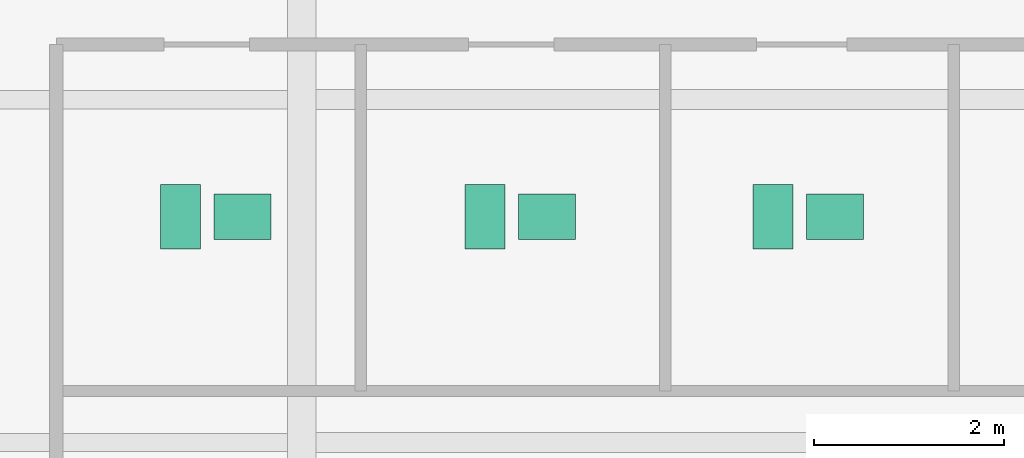
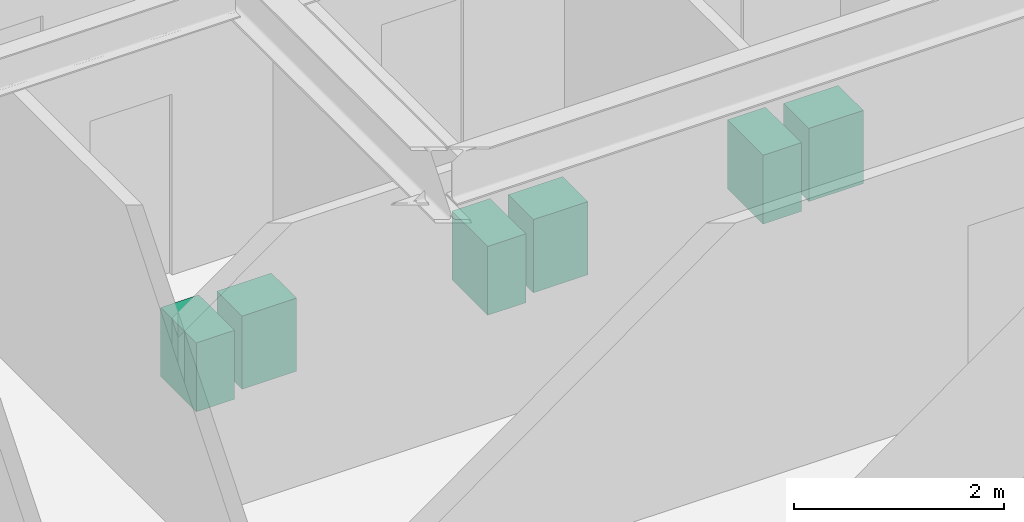
# One storey, part 30 of 30: 6 sanitary terminals.
"""IFC4 building model written with IfcOpenShell, lengths in metres."""

from ifc_helpers import new_model, si_unit, direction, frame, origin, origin_2d, place, context, subcontext, project, spatial, rectangle, extrude, source, transform, mapped, material, type_object, type_shapes, element, save


model = new_model("IFC4")

# Units and contexts
model_context = context("Model", 3, precision=1e-05, world=origin(), true_north=direction((0.0, 1.0)))
body_context = subcontext(model_context, "Body", "Model", "MODEL_VIEW")
ifc_project = project(units=[si_unit("LENGTHUNIT", "METRE"), si_unit("AREAUNIT", "SQUARE_METRE"), si_unit("VOLUMEUNIT", "CUBIC_METRE"), si_unit("PLANEANGLEUNIT", "RADIAN"), si_unit("MASSUNIT", "GRAM", prefix="KILO")], contexts=[model_context])

# Site, building, storey
site_placement = place(None, origin())
site = spatial("IfcSite", under=ifc_project, at=site_placement, CompositionType="ELEMENT")
building_placement = place(site_placement, origin())
building = spatial("IfcBuilding", under=site, at=building_placement, Name="Krantzveldt Concourse Tower", CompositionType="ELEMENT")
storey_placement = place(building_placement, frame((0.0, 0.0, 25.0)))
storey = spatial("IfcBuildingStorey", under=building, at=storey_placement, Name="L05", CompositionType="ELEMENT", Elevation=25.0)

# Sanitary terminals
ifc_material = material(Name="Vitreous china", Category="ceramic")
sanitary_terminal_type_1 = type_object("IfcSanitaryTerminalType", Name="SAN-WC-SUITE", PredefinedType="TOILETPAN", material=ifc_material)
shared_shape_1 = source(origin(), body_context, "Body", "SweptSolid", [
    extrude(rectangle(XDim=0.419921875, YDim=0.679931640625, at=origin_2d()), origin(), (0.0, 0.0, 1.0), 0.800048828125),
])
type_shapes(sanitary_terminal_type_1, [shared_shape_1])
for number, where, z_axis, x_axis, name in (
    (1, (29.324951171875, 32.570068359375, 0.0), (0.0, 0.0, 1.0), (1.0, 0.0, 0.0), "WC-SP-L05-WCM"),
    (2, (32.52490234375, 32.570068359375, 0.0), (0.0, 0.0, 1.0), (1.0, 0.0, 0.0), "WC-SP-L05-WCF"),
    (3, (35.550048828125, 32.570068359375, 0.0), (0.0, 0.0, 1.0), (1.0, 0.0, 0.0), "WC-SP-L05-WCA"),
):
    element("IfcSanitaryTerminal", number, at=place(storey_placement, frame(where, z_axis=z_axis, x_axis=x_axis)), inside=storey, type_object=sanitary_terminal_type_1, Name=name, PredefinedType="TOILETPAN", context=body_context, shape_type="MappedRepresentation", body=[
        mapped(shared_shape_1, transform((0.0, 0.0, 0.0), x_axis=(1.0, 0.0, 0.0), y_axis=(0.0, 1.0, 0.0), z_axis=(0.0, 0.0, 1.0), scale=1.0)),
    ])
sanitary_terminal_type_2 = type_object("IfcSanitaryTerminalType", Name="SAN-BASIN-600", PredefinedType="WASHHANDBASIN", material=ifc_material)
shared_shape_2 = source(origin(), body_context, "Body", "SweptSolid", [
    extrude(rectangle(XDim=0.60009765625, YDim=0.47998046875, at=origin_2d()), origin(), (0.0, 0.0, 1.0), 0.85009765625),
])
type_shapes(sanitary_terminal_type_2, [shared_shape_2])
for number, where, z_axis, x_axis, name in (
    (4, (29.97509765625, 32.570068359375, 0.0048828125), (0.0, 0.0, 1.0), (1.0, 0.0, 0.0), "BSN-SP-L05-WCM"),
    (5, (33.175048828125, 32.570068359375, 0.0048828125), (0.0, 0.0, 1.0), (1.0, 0.0, 0.0), "BSN-SP-L05-WCF"),
    (6, (36.199951171875, 32.570068359375, 0.0048828125), (0.0, 0.0, 1.0), (1.0, 0.0, 0.0), "BSN-SP-L05-WCA"),
):
    element("IfcSanitaryTerminal", number, at=place(storey_placement, frame(where, z_axis=z_axis, x_axis=x_axis)), inside=storey, type_object=sanitary_terminal_type_2, Name=name, PredefinedType="WASHHANDBASIN", context=body_context, shape_type="MappedRepresentation", body=[
        mapped(shared_shape_2, transform((0.0, 0.0, 0.0), x_axis=(1.0, 0.0, 0.0), y_axis=(0.0, 1.0, 0.0), z_axis=(0.0, 0.0, 1.0), scale=1.0)),
    ])

save(model, "model.ifc")
